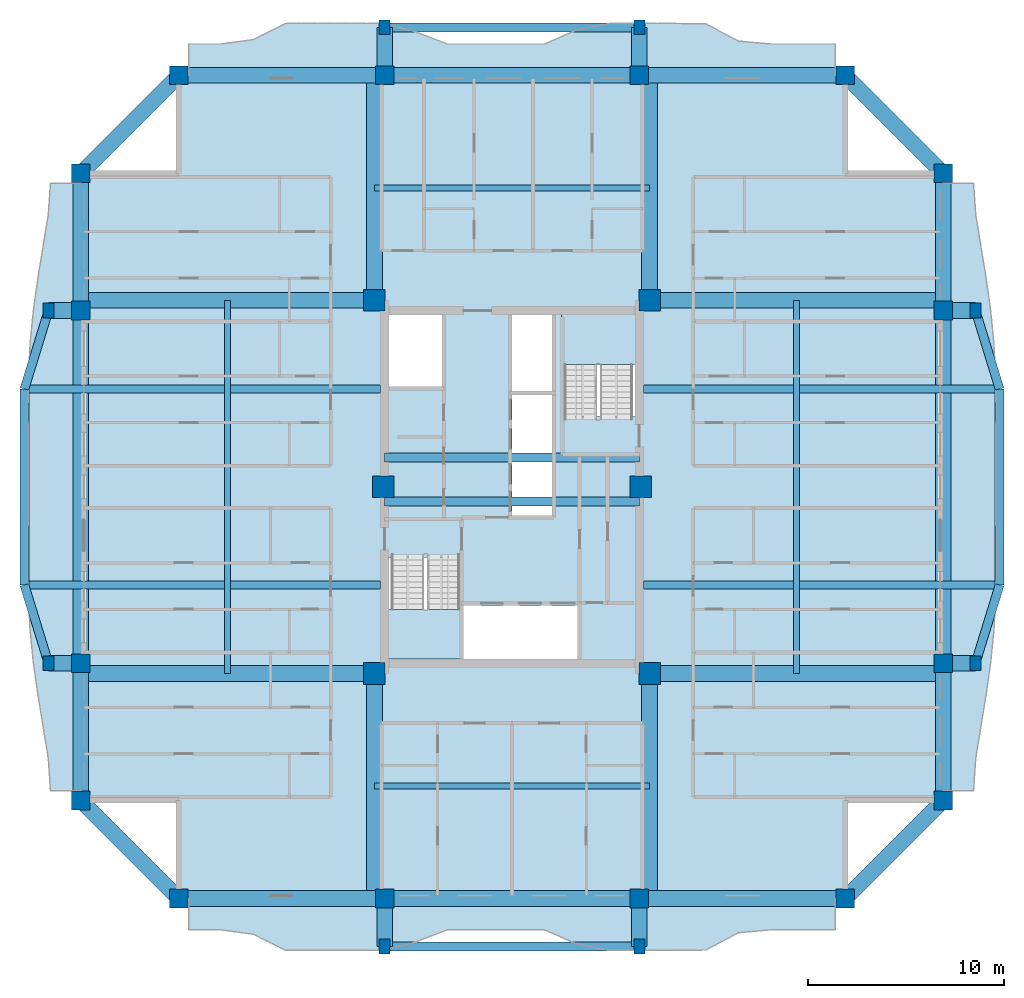
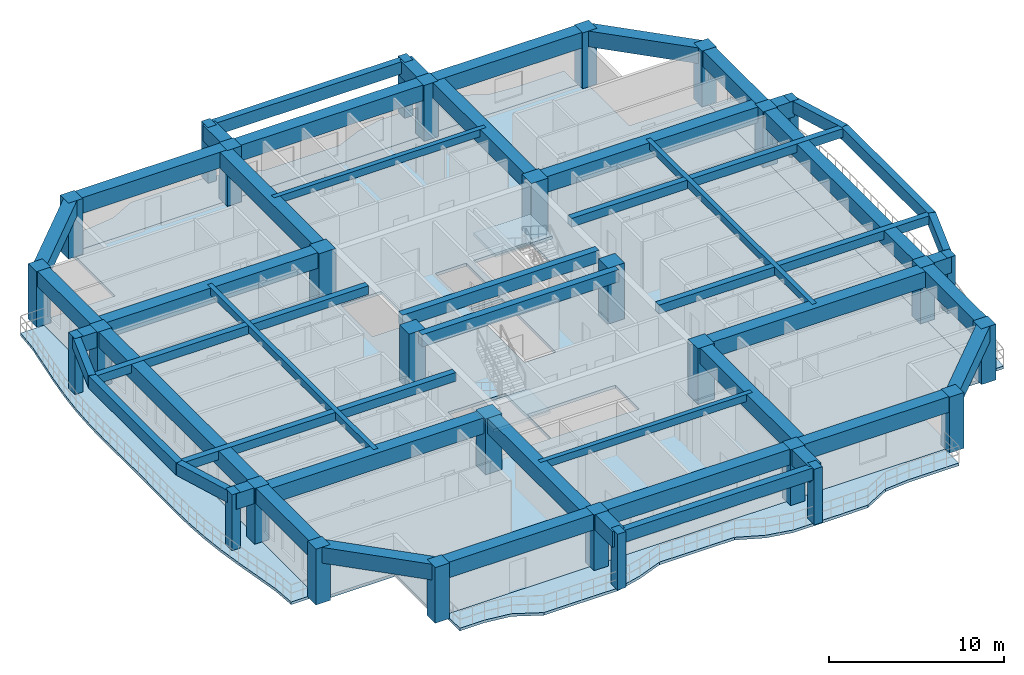
# One storey, part 1 of 15: 50 beams, 30 columns, 7 slabs, 2 elements without a shape of their own.
"""IFC4 building model written with IfcOpenShell, lengths in metres."""

from ifc_helpers import new_model, si_unit, direction, frame, origin, origin_2d, place, context, subcontext, project, spatial, polyline, rectangle, outline, extrude, source, transform, mapped, material, layer, layer_set, material_profile, profile_set, type_object, element, aggregate, save


model = new_model("IFC4")

# Units and contexts
model_context = context("Model", 3, precision=1e-05, world=origin(), true_north=direction((0.0, 1.0)))
body_context = subcontext(model_context, "Body", "Model", "MODEL_VIEW")
ifc_project = project(units=[si_unit("LENGTHUNIT", "METRE"), si_unit("AREAUNIT", "SQUARE_METRE"), si_unit("VOLUMEUNIT", "CUBIC_METRE"), si_unit("PLANEANGLEUNIT", "RADIAN"), si_unit("MASSUNIT", "GRAM", prefix="KILO")], contexts=[model_context])

# Site, building, storey
site_placement = place(None, origin())
site = spatial("IfcSite", under=ifc_project, at=site_placement, CompositionType="ELEMENT")
building_placement = place(site_placement, origin())
building = spatial("IfcBuilding", under=site, at=building_placement, Name="Saelheon Loggia Tower", CompositionType="ELEMENT")
storey_placement = place(building_placement, frame((0.0, 0.0, 159.10009765625)))
storey = spatial("IfcBuildingStorey", under=building, at=storey_placement, Name="L50", CompositionType="ELEMENT", Elevation=159.10009765625)

# Columns
ifc_material_1 = material(Name="Concrete C50/60", Category="concrete")
ifc_material_profile_1 = material_profile(ifc_material_1, rectangle(XDim=0.949951171875, YDim=0.949951171875, at=origin_2d()), Name="RC-950x950")
ifc_profile_set_1 = profile_set([ifc_material_profile_1], Name="Concrete C50/60")
column_type_1 = type_object("IfcColumnType", Name="Col_Perim_RC950", PredefinedType="COLUMN", material=ifc_profile_set_1)
shared_shape_1 = source(origin(), body_context, "Body", "SweptSolid", [
    extrude(rectangle(XDim=0.949951171875, YDim=0.949951171875, at=origin_2d()), origin(), (0.0, 0.0, 1.0), 3.89990234375),
])
for number, where, z_axis, x_axis, name in (
    (1, (21.0, 6.0, 0.0), (0.0, 0.0, 1.0), (1.0, 0.0, 0.0), "L50 Perimeter Column TP-S1"),
    (2, (31.5, 6.0, 0.0), (0.0, 0.0, 1.0), (1.0, 0.0, 0.0), "L50 Perimeter Column TP-SA"),
    (3, (44.5, 6.0, 0.0), (0.0, 0.0, 1.0), (1.0, 0.0, 0.0), "L50 Perimeter Column TP-SB"),
    (4, (55.0, 6.0, 0.0), (0.0, 0.0, 1.0), (1.0, 0.0, 0.0), "L50 Perimeter Column TP-S2"),
    (5, (60.0, 11.0, 0.0), (0.0, 0.0, 1.0), (1.0, 0.0, 0.0), "L50 Perimeter Column TP-E1"),
    (6, (60.0, 18.0, 0.0), (0.0, 0.0, 1.0), (1.0, 0.0, 0.0), "L50 Perimeter Column TP-EA"),
    (7, (60.0, 36.0, 0.0), (0.0, 0.0, 1.0), (1.0, 0.0, 0.0), "L50 Perimeter Column TP-EB"),
    (8, (60.0, 43.0, 0.0), (0.0, 0.0, 1.0), (1.0, 0.0, 0.0), "L50 Perimeter Column TP-E2"),
    (9, (55.0, 48.0, 0.0), (0.0, 0.0, 1.0), (1.0, 0.0, 0.0), "L50 Perimeter Column TP-N2"),
    (10, (44.5, 48.0, 0.0), (0.0, 0.0, 1.0), (1.0, 0.0, 0.0), "L50 Perimeter Column TP-NB"),
    (11, (31.5, 48.0, 0.0), (0.0, 0.0, 1.0), (1.0, 0.0, 0.0), "L50 Perimeter Column TP-NA"),
    (12, (21.0, 48.0, 0.0), (0.0, 0.0, 1.0), (1.0, 0.0, 0.0), "L50 Perimeter Column TP-N1"),
    (13, (16.0, 43.0, 0.0), (0.0, 0.0, 1.0), (1.0, 0.0, 0.0), "L50 Perimeter Column TP-W2"),
    (14, (16.0, 36.0, 0.0), (0.0, 0.0, 1.0), (1.0, 0.0, 0.0), "L50 Perimeter Column TP-WB"),
    (15, (16.0, 18.0, 0.0), (0.0, 0.0, 1.0), (1.0, 0.0, 0.0), "L50 Perimeter Column TP-WA"),
    (16, (16.0, 11.0, 0.0), (0.0, 0.0, 1.0), (1.0, 0.0, 0.0), "L50 Perimeter Column TP-W1"),
):
    element("IfcColumn", number, at=place(storey_placement, frame(where, z_axis=z_axis, x_axis=x_axis)), inside=storey, type_object=column_type_1, Name=name, PredefinedType="COLUMN", context=body_context, shape_type="MappedRepresentation", body=[
        mapped(shared_shape_1, transform((0.0, 0.0, 0.0), scale=1.0)),
    ])
ifc_material_2 = material(Name="Precast Concrete C45/55", Category="concrete")
ifc_material_profile_2 = material_profile(ifc_material_2, rectangle(XDim=0.550048828125, YDim=0.75, at=origin_2d()), Name="RC-550x750")
ifc_profile_set_2 = profile_set([ifc_material_profile_2], Name="Precast Concrete C45/55")
column_type_2 = type_object("IfcColumnType", Name="Col_Loggia_Pilaster_750", PredefinedType="PILASTER", material=ifc_profile_set_2)
shared_shape_2 = source(origin(), body_context, "Body", "SweptSolid", [
    extrude(rectangle(XDim=0.550048828125, YDim=0.75, at=origin_2d()), origin(), (0.0, 0.0, 1.0), 3.89990234375),
])
for number, where, z_axis, x_axis, name in (
    (17, (31.5, 3.550048828125, 0.0), (0.0, 0.0, 1.0), (1.0, 0.0, 0.0), "L50 Loggia Frame Pilaster LP-S1"),
    (18, (44.5, 3.550048828125, 0.0), (0.0, 0.0, 1.0), (1.0, 0.0, 0.0), "L50 Loggia Frame Pilaster LP-S2"),
    (19, (31.5, 50.449951171875, 0.0), (0.0, 0.0, 1.0), (1.0, 0.0, 0.0), "L50 Loggia Frame Pilaster LP-N1"),
    (20, (44.5, 50.449951171875, 0.0), (0.0, 0.0, 1.0), (1.0, 0.0, 0.0), "L50 Loggia Frame Pilaster LP-N2"),
    (21, (61.64990234375, 18.0, 0.0), (0.0, 0.0, 1.0), (1.0, 0.0, 0.0), "L50 Loggia Frame Pilaster LP-E1"),
    (22, (61.64990234375, 36.0, 0.0), (0.0, 0.0, 1.0), (1.0, 0.0, 0.0), "L50 Loggia Frame Pilaster LP-E2"),
    (23, (14.35009765625, 18.0, 0.0), (0.0, 0.0, 1.0), (1.0, 0.0, 0.0), "L50 Loggia Frame Pilaster LP-W1"),
    (24, (14.35009765625, 36.0, 0.0), (0.0, 0.0, 1.0), (1.0, 0.0, 0.0), "L50 Loggia Frame Pilaster LP-W2"),
):
    element("IfcColumn", number, at=place(storey_placement, frame(where, z_axis=z_axis, x_axis=x_axis)), inside=storey, type_object=column_type_2, Name=name, PredefinedType="PILASTER", context=body_context, shape_type="MappedRepresentation", body=[
        mapped(shared_shape_2, transform((0.0, 0.0, 0.0), scale=1.0)),
    ])
ifc_material_profile_3 = material_profile(ifc_material_1, rectangle(XDim=1.10009765625, YDim=1.10009765625, at=origin_2d()), Name="RC-1100x1100")
ifc_profile_set_3 = profile_set([ifc_material_profile_3], Name="Concrete C50/60")
column_type_3 = type_object("IfcColumnType", Name="Col_Core_RC1100", PredefinedType="COLUMN", material=ifc_profile_set_3)
shared_shape_3 = source(origin(), body_context, "Body", "SweptSolid", [
    extrude(rectangle(XDim=1.10009765625, YDim=1.10009765625, at=origin_2d()), origin(), (0.0, 0.0, 1.0), 3.89990234375),
])
for number, where, z_axis, x_axis, name in (
    (25, (30.97998046875, 17.47998046875, 0.0), (0.0, 0.0, 1.0), (1.0, 0.0, 0.0), "L50 Core Column CR-SW"),
    (26, (45.02001953125, 17.47998046875, 0.0), (0.0, 0.0, 1.0), (1.0, 0.0, 0.0), "L50 Core Column CR-SE"),
    (27, (30.97998046875, 36.52001953125, 0.0), (0.0, 0.0, 1.0), (1.0, 0.0, 0.0), "L50 Core Column CR-NW"),
    (28, (45.02001953125, 36.52001953125, 0.0), (0.0, 0.0, 1.0), (1.0, 0.0, 0.0), "L50 Core Column CR-NE"),
    (29, (31.419921875, 27.0, 0.0), (0.0, 0.0, 1.0), (1.0, 0.0, 0.0), "L50 Core Column CR-MW"),
    (30, (44.580078125, 27.0, 0.0), (0.0, 0.0, 1.0), (1.0, 0.0, 0.0), "L50 Core Column CR-ME"),
):
    element("IfcColumn", number, at=place(storey_placement, frame(where, z_axis=z_axis, x_axis=x_axis)), inside=storey, type_object=column_type_3, Name=name, PredefinedType="COLUMN", context=body_context, shape_type="MappedRepresentation", body=[
        mapped(shared_shape_3, transform((0.0, 0.0, 0.0), scale=1.0)),
    ])

# Beams
ifc_material_profile_4 = material_profile(ifc_material_1, rectangle(XDim=0.449951171875, YDim=0.85009765625, at=origin_2d()), Name="RC-450x850")
ifc_profile_set_4 = profile_set([ifc_material_profile_4], Name="Concrete C50/60")
beam_type_1 = type_object("IfcBeamType", Name="Beam_CoreLintel_RC450x850", PredefinedType="LINTEL", material=ifc_profile_set_4)
shared_shape_4 = source(origin(), body_context, "Body", "SweptSolid", [
    extrude(rectangle(XDim=0.449951171875, YDim=0.85009765625, at=origin_2d()), origin(), (0.0, 0.0, 1.0), 13.0),
])
for number, where, z_axis, x_axis, name in (
    (31, (31.5, 26.25, 3.474853515625), (1.0, 0.0, 0.0), (0.0, 1.0, 0.0), "L50 Core Coupling Lintel 1"),
    (32, (31.5, 28.5, 3.474853515625), (1.0, 0.0, 0.0), (0.0, 1.0, 0.0), "L50 Core Coupling Lintel 2"),
):
    element("IfcBeam", number, at=place(storey_placement, frame(where, z_axis=z_axis, x_axis=x_axis)), inside=storey, type_object=beam_type_1, Name=name, PredefinedType="LINTEL", context=body_context, shape_type="MappedRepresentation", body=[
        mapped(shared_shape_4, transform((0.0, 0.0, 0.0), scale=1.0)),
    ])
ifc_material_profile_5 = material_profile(ifc_material_2, rectangle(XDim=0.449951171875, YDim=0.85009765625, at=origin_2d()), Name="RC-450x850")
ifc_profile_set_5 = profile_set([ifc_material_profile_5], Name="Precast Concrete C45/55")
beam_type_2 = type_object("IfcBeamType", Name="Beam_LoggiaSpandrel_RC450x850", PredefinedType="SPANDREL", material=ifc_profile_set_5)
for number, where, z_axis, x_axis, name in (
    (33, (31.5, 3.550048828125, 3.474853515625), (1.0, 0.0, 0.0), (0.0, 1.0, 0.0), "L50 Loggia Spandrel Beam S"),
    (34, (31.5, 50.449951171875, 3.474853515625), (1.0, 0.0, 0.0), (0.0, 1.0, 0.0), "L50 Loggia Spandrel Beam N"),
):
    element("IfcBeam", number, at=place(storey_placement, frame(where, z_axis=z_axis, x_axis=x_axis)), inside=storey, type_object=beam_type_2, Name=name, PredefinedType="SPANDREL", context=body_context, shape_type="MappedRepresentation", body=[
        mapped(shared_shape_4, transform((0.0, 0.0, 0.0), scale=1.0)),
    ])
ifc_material_3 = material(Name="Concrete C40/50", Category="concrete")
ifc_material_profile_6 = material_profile(ifc_material_3, rectangle(XDim=0.300048828125, YDim=0.5, at=origin_2d()), Name="RC-300x500")
ifc_profile_set_6 = profile_set([ifc_material_profile_6], Name="Concrete C40/50")
beam_type_3 = type_object("IfcBeamType", Name="Beam_Joist_RC300x500", PredefinedType="JOIST", material=ifc_profile_set_6)
shared_shape_5 = source(origin(), body_context, "Body", "SweptSolid", [
    extrude(rectangle(XDim=0.300048828125, YDim=0.5, at=origin_2d()), origin(), (0.0, 0.0, 1.0), 14.0400390625),
])
for number, where, z_axis, x_axis, name in (
    (35, (30.97998046875, 11.739990234375, 3.64990234375), (1.0, 0.0, 0.0), (0.0, 1.0, 0.0), "L50 South Floor Joist"),
    (36, (30.97998046875, 42.260009765625, 3.64990234375), (1.0, 0.0, 0.0), (0.0, 1.0, 0.0), "L50 North Floor Joist"),
):
    element("IfcBeam", number, at=place(storey_placement, frame(where, z_axis=z_axis, x_axis=x_axis)), inside=storey, type_object=beam_type_3, Name=name, PredefinedType="JOIST", context=body_context, shape_type="MappedRepresentation", body=[
        mapped(shared_shape_5, transform((0.0, 0.0, 0.0), scale=1.0)),
    ])
shared_shape_6 = source(origin(), body_context, "Body", "SweptSolid", [
    extrude(rectangle(XDim=0.300048828125, YDim=0.5, at=origin_2d()), origin(), (0.0, 0.0, 1.0), 19.0400390625),
])
for number, where, z_axis, x_axis, name in (
    (37, (23.489990234375, 17.47998046875, 3.64990234375), (0.0, 1.0, 0.0), (-1.0, 0.0, 0.0), "L50 West Floor Joist"),
    (38, (52.510009765625, 17.47998046875, 3.64990234375), (0.0, 1.0, 0.0), (-1.0, 0.0, 0.0), "L50 East Floor Joist"),
):
    element("IfcBeam", number, at=place(storey_placement, frame(where, z_axis=z_axis, x_axis=x_axis)), inside=storey, type_object=beam_type_3, Name=name, PredefinedType="JOIST", context=body_context, shape_type="MappedRepresentation", body=[
        mapped(shared_shape_6, transform((0.0, 0.0, 0.0), scale=1.0)),
    ])
ifc_material_profile_7 = material_profile(ifc_material_1, rectangle(XDim=0.800048828125, YDim=1.10009765625, at=origin_2d()), Name="RC-800x1100")
ifc_profile_set_7 = profile_set([ifc_material_profile_7], Name="Concrete C50/60")
beam_type_4 = type_object("IfcBeamType", Name="Beam_PerimSetback_RC800x1100", PredefinedType="BEAM", material=ifc_profile_set_7)
shared_shape_7 = source(origin(), body_context, "Body", "SweptSolid", [
    extrude(rectangle(XDim=0.800048828125, YDim=1.10009765625, at=origin_2d()), origin(), (0.0, 0.0, 1.0), 10.5),
])
for number, where, z_axis, x_axis, name in (
    (39, (21.0, 6.0, 3.349853515625), (1.0, 0.0, 0.0), (0.0, 1.0, 0.0), "L50 Perimeter Frame Girder 01"),
    (40, (44.5, 6.0, 3.349853515625), (1.0, 0.0, 0.0), (0.0, 1.0, 0.0), "L50 Perimeter Frame Girder 03"),
    (41, (55.0, 48.0, 3.349853515625), (-1.0, 0.0, 0.0), (0.0, -1.0, 0.0), "L50 Perimeter Frame Girder 09"),
    (42, (31.5, 48.0, 3.349853515625), (-1.0, 0.0, 0.0), (0.0, -1.0, 0.0), "L50 Perimeter Frame Girder 11"),
):
    element("IfcBeam", number, at=place(storey_placement, frame(where, z_axis=z_axis, x_axis=x_axis)), inside=storey, type_object=beam_type_4, Name=name, PredefinedType="BEAM", context=body_context, shape_type="MappedRepresentation", body=[
        mapped(shared_shape_7, transform((0.0, 0.0, 0.0), scale=1.0)),
    ])
shared_shape_8 = source(origin(), body_context, "Body", "SweptSolid", [
    extrude(rectangle(XDim=0.800048828125, YDim=1.10009765625, at=origin_2d()), origin(), (0.0, 0.0, 1.0), 13.0),
])
for number, where, z_axis, x_axis, name in (
    (43, (31.5, 6.0, 3.349853515625), (1.0, 0.0, 0.0), (0.0, 1.0, 0.0), "L50 Perimeter Frame Girder 02"),
    (44, (44.5, 48.0, 3.349853515625), (-1.0, 0.0, 0.0), (0.0, -1.0, 0.0), "L50 Perimeter Frame Girder 10"),
):
    element("IfcBeam", number, at=place(storey_placement, frame(where, z_axis=z_axis, x_axis=x_axis)), inside=storey, type_object=beam_type_4, Name=name, PredefinedType="BEAM", context=body_context, shape_type="MappedRepresentation", body=[
        mapped(shared_shape_8, transform((0.0, 0.0, 0.0), scale=1.0)),
    ])
shared_shape_9 = source(origin(), body_context, "Body", "SweptSolid", [
    extrude(rectangle(XDim=0.800048828125, YDim=1.10009765625, at=origin_2d()), origin(), (0.0, 0.0, 1.0), 7.071044921875),
])
for number, where, z_axis, x_axis, name in (
    (45, (55.0, 6.0, 3.349853515625), (0.707106781187, 0.707106781187, 0.0), (-0.707106781187, 0.707106781187, 0.0), "L50 Perimeter Frame Girder 04"),
    (46, (60.0, 43.0, 3.349853515625), (-0.707106781187, 0.707106781187, 0.0), (-0.707106781187, -0.707106781187, 0.0), "L50 Perimeter Frame Girder 08"),
    (47, (21.0, 48.0, 3.349853515625), (-0.707106781187, -0.707106781187, 0.0), (0.707106781187, -0.707106781187, 0.0), "L50 Perimeter Frame Girder 12"),
    (48, (16.0, 11.0, 3.349853515625), (0.707106781187, -0.707106781187, 0.0), (0.707106781187, 0.707106781187, 0.0), "L50 Perimeter Frame Girder 16"),
):
    element("IfcBeam", number, at=place(storey_placement, frame(where, z_axis=z_axis, x_axis=x_axis)), inside=storey, type_object=beam_type_4, Name=name, PredefinedType="BEAM", context=body_context, shape_type="MappedRepresentation", body=[
        mapped(shared_shape_9, transform((0.0, 0.0, 0.0), scale=1.0)),
    ])
shared_shape_10 = source(origin(), body_context, "Body", "SweptSolid", [
    extrude(rectangle(XDim=0.800048828125, YDim=1.10009765625, at=origin_2d()), origin(), (0.0, 0.0, 1.0), 7.0),
])
for number, where, z_axis, x_axis, name in (
    (49, (60.0, 11.0, 3.349853515625), (0.0, 1.0, 0.0), (-1.0, 0.0, 0.0), "L50 Perimeter Frame Girder 05"),
    (50, (60.0, 36.0, 3.349853515625), (0.0, 1.0, 0.0), (-1.0, 0.0, 0.0), "L50 Perimeter Frame Girder 07"),
    (51, (16.0, 43.0, 3.349853515625), (0.0, -1.0, 0.0), (1.0, 0.0, 0.0), "L50 Perimeter Frame Girder 13"),
    (52, (16.0, 18.0, 3.349853515625), (0.0, -1.0, 0.0), (1.0, 0.0, 0.0), "L50 Perimeter Frame Girder 15"),
):
    element("IfcBeam", number, at=place(storey_placement, frame(where, z_axis=z_axis, x_axis=x_axis)), inside=storey, type_object=beam_type_4, Name=name, PredefinedType="BEAM", context=body_context, shape_type="MappedRepresentation", body=[
        mapped(shared_shape_10, transform((0.0, 0.0, 0.0), scale=1.0)),
    ])
shared_shape_11 = source(origin(), body_context, "Body", "SweptSolid", [
    extrude(rectangle(XDim=0.800048828125, YDim=1.10009765625, at=origin_2d()), origin(), (0.0, 0.0, 1.0), 18.0),
])
for number, where, z_axis, x_axis, name in (
    (53, (60.0, 18.0, 3.349853515625), (0.0, 1.0, 0.0), (-1.0, 0.0, 0.0), "L50 Perimeter Frame Girder 06"),
    (54, (16.0, 36.0, 3.349853515625), (0.0, -1.0, 0.0), (1.0, 0.0, 0.0), "L50 Perimeter Frame Girder 14"),
):
    element("IfcBeam", number, at=place(storey_placement, frame(where, z_axis=z_axis, x_axis=x_axis)), inside=storey, type_object=beam_type_4, Name=name, PredefinedType="BEAM", context=body_context, shape_type="MappedRepresentation", body=[
        mapped(shared_shape_11, transform((0.0, 0.0, 0.0), scale=1.0)),
    ])
ifc_material_profile_8 = material_profile(ifc_material_1, rectangle(XDim=0.800048828125, YDim=1.10009765625, at=origin_2d()), Name="RC-800x1100")
ifc_profile_set_8 = profile_set([ifc_material_profile_8], Name="Concrete C50/60")
beam_type_5 = type_object("IfcBeamType", Name="Beam_SetbackTransfer_RC800x1100", PredefinedType="BEAM", material=ifc_profile_set_8)
shared_shape_12 = source(origin(), body_context, "Body", "SweptSolid", [
    extrude(rectangle(XDim=0.800048828125, YDim=1.10009765625, at=origin_2d()), origin(), (0.0, 0.0, 1.0), 11.47998046875),
])
for number, where, z_axis, x_axis, name in (
    (55, (30.97998046875, 17.47998046875, 3.349853515625), (0.0, -1.0, 0.0), (1.0, 0.0, 0.0), "L50 Radial Floor Girder RAD-SW-S"),
    (56, (45.02001953125, 17.47998046875, 3.349853515625), (0.0, -1.0, 0.0), (1.0, 0.0, 0.0), "L50 Radial Floor Girder RAD-SE-S"),
    (57, (30.97998046875, 36.52001953125, 3.349853515625), (0.0, 1.0, 0.0), (-1.0, 0.0, 0.0), "L50 Radial Floor Girder RAD-NW-N"),
    (58, (45.02001953125, 36.52001953125, 3.349853515625), (0.0, 1.0, 0.0), (-1.0, 0.0, 0.0), "L50 Radial Floor Girder RAD-NE-N"),
):
    element("IfcBeam", number, at=place(storey_placement, frame(where, z_axis=z_axis, x_axis=x_axis)), inside=storey, type_object=beam_type_5, Name=name, PredefinedType="BEAM", context=body_context, shape_type="MappedRepresentation", body=[
        mapped(shared_shape_12, transform((0.0, 0.0, 0.0), scale=1.0)),
    ])
shared_shape_13 = source(origin(), body_context, "Body", "SweptSolid", [
    extrude(rectangle(XDim=0.800048828125, YDim=1.10009765625, at=origin_2d()), origin(), (0.0, 0.0, 1.0), 14.97998046875),
])
for number, where, z_axis, x_axis, name in (
    (59, (30.97998046875, 17.47998046875, 3.349853515625), (-1.0, 0.0, 0.0), (0.0, -1.0, 0.0), "L50 Radial Floor Girder RAD-SW-W"),
    (60, (30.97998046875, 36.52001953125, 3.349853515625), (-1.0, 0.0, 0.0), (0.0, -1.0, 0.0), "L50 Radial Floor Girder RAD-NW-W"),
    (61, (45.02001953125, 17.47998046875, 3.349853515625), (1.0, 0.0, 0.0), (0.0, 1.0, 0.0), "L50 Radial Floor Girder RAD-SE-E"),
    (62, (45.02001953125, 36.52001953125, 3.349853515625), (1.0, 0.0, 0.0), (0.0, 1.0, 0.0), "L50 Radial Floor Girder RAD-NE-E"),
):
    element("IfcBeam", number, at=place(storey_placement, frame(where, z_axis=z_axis, x_axis=x_axis)), inside=storey, type_object=beam_type_5, Name=name, PredefinedType="BEAM", context=body_context, shape_type="MappedRepresentation", body=[
        mapped(shared_shape_13, transform((0.0, 0.0, 0.0), scale=1.0)),
    ])
ifc_material_profile_9 = material_profile(ifc_material_2, rectangle(XDim=0.39990234375, YDim=0.60009765625, at=origin_2d()), Name="RC-400x600")
ifc_profile_set_9 = profile_set([ifc_material_profile_9], Name="Precast Concrete C45/55")
beam_type_6 = type_object("IfcBeamType", Name="Beam_LoggiaTie_RC400x600", PredefinedType="BEAM", material=ifc_profile_set_9)
shared_shape_14 = source(origin(), body_context, "Body", "SweptSolid", [
    extrude(rectangle(XDim=0.39990234375, YDim=0.60009765625, at=origin_2d()), origin(), (0.0, 0.0, 1.0), 18.159912109375),
])
for number, where, z_axis, x_axis, name in (
    (63, (44.719970703125, 22.0, 3.599853515625), (1.0, 0.0, 0.0), (0.0, 1.0, 0.0), "L50 Curved Facade Outrigger Beam E 1"),
    (64, (44.719970703125, 32.0, 3.599853515625), (1.0, 0.0, 0.0), (0.0, 1.0, 0.0), "L50 Curved Facade Outrigger Beam E 2"),
    (65, (31.280029296875, 22.0, 3.599853515625), (-1.0, 0.0, 0.0), (0.0, -1.0, 0.0), "L50 Curved Facade Outrigger Beam W 1"),
    (66, (31.280029296875, 32.0, 3.599853515625), (-1.0, 0.0, 0.0), (0.0, -1.0, 0.0), "L50 Curved Facade Outrigger Beam W 2"),
):
    element("IfcBeam", number, at=place(storey_placement, frame(where, z_axis=z_axis, x_axis=x_axis)), inside=storey, type_object=beam_type_6, Name=name, PredefinedType="BEAM", context=body_context, shape_type="MappedRepresentation", body=[
        mapped(shared_shape_14, transform((0.0, 0.0, 0.0), scale=1.0)),
    ])
shared_shape_15 = source(origin(), body_context, "Body", "SweptSolid", [
    extrude(rectangle(XDim=0.449951171875, YDim=0.85009765625, at=origin_2d()), origin(), (0.0, 0.0, 1.0), 4.184814453125),
])
for number, where, z_axis, x_axis, name in (
    (67, (61.64990234375, 18.0, 3.474853515625), (0.293913664135, 0.955831971653, 0.0), (-0.955831971653, 0.293913664135, 0.0), "L50 Curved Loggia Spandrel E 1"),
    (68, (62.8798828125, 32.0, 3.474853515625), (-0.293913664135, 0.955831971653, 0.0), (-0.955831971653, -0.293913664135, 0.0), "L50 Curved Loggia Spandrel E 3"),
    (69, (14.35009765625, 18.0, 3.474853515625), (-0.293913664135, 0.955831971653, 0.0), (-0.955831971653, -0.293913664135, 0.0), "L50 Curved Loggia Spandrel W 1"),
    (70, (13.1201171875, 32.0, 3.474853515625), (0.293913664135, 0.955831971653, 0.0), (-0.955831971653, 0.293913664135, 0.0), "L50 Curved Loggia Spandrel W 3"),
):
    element("IfcBeam", number, at=place(storey_placement, frame(where, z_axis=z_axis, x_axis=x_axis)), inside=storey, type_object=beam_type_2, Name=name, PredefinedType="SPANDREL", context=body_context, shape_type="MappedRepresentation", body=[
        mapped(shared_shape_15, transform((0.0, 0.0, 0.0), scale=1.0)),
    ])
shared_shape_16 = source(origin(), body_context, "Body", "SweptSolid", [
    extrude(rectangle(XDim=0.449951171875, YDim=0.85009765625, at=origin_2d()), origin(), (0.0, 0.0, 1.0), 10.0),
])
for number, where, z_axis, x_axis, name in (
    (71, (62.8798828125, 22.0, 3.474853515625), (0.0, 1.0, 0.0), (-1.0, 0.0, 0.0), "L50 Curved Loggia Spandrel E 2"),
    (72, (13.1201171875, 22.0, 3.474853515625), (0.0, 1.0, 0.0), (-1.0, 0.0, 0.0), "L50 Curved Loggia Spandrel W 2"),
):
    element("IfcBeam", number, at=place(storey_placement, frame(where, z_axis=z_axis, x_axis=x_axis)), inside=storey, type_object=beam_type_2, Name=name, PredefinedType="SPANDREL", context=body_context, shape_type="MappedRepresentation", body=[
        mapped(shared_shape_16, transform((0.0, 0.0, 0.0), scale=1.0)),
    ])
shared_shape_17 = source(origin(), body_context, "Body", "SweptSolid", [
    extrude(rectangle(XDim=0.800048828125, YDim=1.10009765625, at=origin_2d()), origin(), (0.0, 0.0, 1.0), 2.449951171875),
])
for number, where, z_axis, x_axis, name in (
    (73, (31.5, 6.0, 3.349853515625), (0.0, -1.0, 0.0), (1.0, 0.0, 0.0), "L50 Loggia Frame Tie Beam LP-S1"),
    (74, (44.5, 6.0, 3.349853515625), (0.0, -1.0, 0.0), (1.0, 0.0, 0.0), "L50 Loggia Frame Tie Beam LP-S2"),
    (75, (31.5, 48.0, 3.349853515625), (0.0, 1.0, 0.0), (-1.0, 0.0, 0.0), "L50 Loggia Frame Tie Beam LP-N1"),
    (76, (44.5, 48.0, 3.349853515625), (0.0, 1.0, 0.0), (-1.0, 0.0, 0.0), "L50 Loggia Frame Tie Beam LP-N2"),
):
    element("IfcBeam", number, at=place(storey_placement, frame(where, z_axis=z_axis, x_axis=x_axis)), inside=storey, type_object=beam_type_4, Name=name, PredefinedType="BEAM", context=body_context, shape_type="MappedRepresentation", body=[
        mapped(shared_shape_17, transform((0.0, 0.0, 0.0), scale=1.0)),
    ])
shared_shape_18 = source(origin(), body_context, "Body", "SweptSolid", [
    extrude(rectangle(XDim=0.800048828125, YDim=1.10009765625, at=origin_2d()), origin(), (0.0, 0.0, 1.0), 1.64990234375),
])
for number, where, z_axis, x_axis, name in (
    (77, (60.0, 18.0, 3.349853515625), (1.0, 0.0, 0.0), (0.0, 1.0, 0.0), "L50 Loggia Frame Tie Beam LP-E1"),
    (78, (60.0, 36.0, 3.349853515625), (1.0, 0.0, 0.0), (0.0, 1.0, 0.0), "L50 Loggia Frame Tie Beam LP-E2"),
    (79, (16.0, 18.0, 3.349853515625), (-1.0, 0.0, 0.0), (0.0, -1.0, 0.0), "L50 Loggia Frame Tie Beam LP-W1"),
    (80, (16.0, 36.0, 3.349853515625), (-1.0, 0.0, 0.0), (0.0, -1.0, 0.0), "L50 Loggia Frame Tie Beam LP-W2"),
):
    element("IfcBeam", number, at=place(storey_placement, frame(where, z_axis=z_axis, x_axis=x_axis)), inside=storey, type_object=beam_type_4, Name=name, PredefinedType="BEAM", context=body_context, shape_type="MappedRepresentation", body=[
        mapped(shared_shape_18, transform((0.0, 0.0, 0.0), scale=1.0)),
    ])

# Slabs
ifc_layer_1 = layer(ifc_material_2, 0.18994140625)
ifc_layer_set_1 = layer_set([ifc_layer_1], Name="Precast Concrete C45/55")
slab_type_1 = type_object("IfcSlabType", Name="Slab_Loggia_Ext_190", PredefinedType="FLOOR", material=ifc_layer_set_1)
slab_1_placement = place(storey_placement, frame((0.0, 0.0, -0.190185546875)))
element("IfcSlab", 81, at=slab_1_placement, inside=storey, type_object=slab_type_1, Name="L50 Loggia Balcony Slab S", PredefinedType="FLOOR", context=body_context, shape_type="SweptSolid", body=[
    extrude(outline(polyline([(21.5, 4.39990234375), (23.14990234375, 4.39990234375), (24.800048828125, 4.173095703125), (26.449951171875, 3.35009765625), (28.10009765625, 3.35009765625), (29.75, 3.35009765625), (31.39990234375, 3.35009765625), (33.050048828125, 3.7685546875), (34.699951171875, 4.39990234375), (36.35009765625, 4.39990234375), (38.0, 4.39990234375), (39.64990234375, 4.39990234375), (41.300048828125, 3.687255859375), (42.949951171875, 3.35009765625), (44.60009765625, 3.35009765625), (46.25, 3.35009765625), (47.89990234375, 3.371337890625), (49.550048828125, 4.251708984375), (51.199951171875, 4.39990234375), (52.85009765625, 4.39990234375), (54.5, 4.39990234375), (54.5, 6.0), (21.5, 6.0), (21.5, 4.39990234375)])), origin(), (0.0, 0.0, 1.0), 0.190185546875),
])
slab_2_placement = place(storey_placement, frame((0.0, 0.0, -0.190185546875)))
element("IfcSlab", 82, at=slab_2_placement, inside=storey, type_object=slab_type_1, Name="L50 Loggia Balcony Slab N", PredefinedType="FLOOR", context=body_context, shape_type="SweptSolid", body=[
    extrude(outline(polyline([(21.5, 48.0), (54.5, 48.0), (54.5, 49.60009765625), (52.85009765625, 49.60009765625), (51.199951171875, 49.60009765625), (49.550048828125, 49.748291015625), (47.89990234375, 50.628662109375), (46.25, 50.64990234375), (44.60009765625, 50.64990234375), (42.949951171875, 50.64990234375), (41.300048828125, 50.312744140625), (39.64990234375, 49.60009765625), (38.0, 49.60009765625), (36.35009765625, 49.60009765625), (34.699951171875, 49.60009765625), (33.050048828125, 50.2314453125), (31.39990234375, 50.64990234375), (29.75, 50.64990234375), (28.10009765625, 50.64990234375), (26.449951171875, 50.64990234375), (24.800048828125, 49.826904296875), (23.14990234375, 49.60009765625), (21.5, 49.60009765625), (21.5, 48.0)])), origin(), (0.0, 0.0, 1.0), 0.190185546875),
])
slab_3_placement = place(storey_placement, frame((0.0, 0.0, -0.190185546875)))
element("IfcSlab", 83, at=slab_3_placement, inside=storey, type_object=slab_type_1, Name="L50 Loggia Balcony Slab E", PredefinedType="FLOOR", context=body_context, shape_type="SweptSolid", body=[
    extrude(outline(polyline([(60.0, 11.5), (61.550048828125, 11.5), (61.66064453125, 13.131591796875), (61.92529296875, 14.76318359375), (62.191650390625, 16.394775390625), (62.42236328125, 18.0263671875), (62.58837890625, 19.657958984375), (62.679931640625, 21.28955078125), (62.708251953125, 22.921142578125), (62.69970703125, 24.552490234375), (62.683837890625, 26.18408203125), (62.6806640625, 27.81591796875), (62.69140625, 29.447509765625), (62.698486328125, 31.078857421875), (62.672607421875, 32.71044921875), (62.586669921875, 34.342041015625), (62.4267578125, 35.9736328125), (62.200439453125, 37.605224609375), (61.934814453125, 39.23681640625), (61.6669921875, 40.868408203125), (61.550048828125, 42.5), (60.0, 42.5), (60.0, 11.5)])), origin(), (0.0, 0.0, 1.0), 0.190185546875),
])
slab_4_placement = place(storey_placement, frame((0.0, 0.0, -0.190185546875)))
element("IfcSlab", 84, at=slab_4_placement, inside=storey, type_object=slab_type_1, Name="L50 Loggia Balcony Slab W", PredefinedType="FLOOR", context=body_context, shape_type="SweptSolid", body=[
    extrude(outline(polyline([(16.0, 11.5), (16.0, 42.5), (14.449951171875, 42.5), (14.3330078125, 40.868408203125), (14.065185546875, 39.23681640625), (13.799560546875, 37.605224609375), (13.5732421875, 35.9736328125), (13.413330078125, 34.342041015625), (13.327392578125, 32.71044921875), (13.301513671875, 31.078857421875), (13.30859375, 29.447509765625), (13.3193359375, 27.81591796875), (13.316162109375, 26.18408203125), (13.30029296875, 24.552490234375), (13.291748046875, 22.921142578125), (13.320068359375, 21.28955078125), (13.41162109375, 19.657958984375), (13.57763671875, 18.0263671875), (13.808349609375, 16.394775390625), (14.07470703125, 14.76318359375), (14.33935546875, 13.131591796875), (14.449951171875, 11.5), (16.0, 11.5)])), origin(), (0.0, 0.0, 1.0), 0.190185546875),
])

# Stair, slab
stair_type = type_object("IfcStairType", Name="Stair_Escape_Core", PredefinedType="HALF_TURN_STAIR", material=ifc_material_3)
stair_1_placement = place(storey_placement, origin())
stair_1 = element("IfcStair", 85, at=stair_1_placement, inside=storey, type_object=stair_type, Name="L50 Special Escape Stair ST1", PredefinedType="HALF_TURN_STAIR")
ifc_layer_2 = layer(ifc_material_3, 0.199951171875)
ifc_layer_set_2 = layer_set([ifc_layer_2], Name="Concrete C40/50")
slab_type_2 = type_object("IfcSlabType", Name="Slab_StairLanding_ST1", PredefinedType="LANDING", material=ifc_layer_set_2)
slab_5_placement = place(storey_placement, frame((0.0, 0.0, 1.75)))
slab_5 = element("IfcSlab", 86, at=slab_5_placement, type_object=slab_type_2, Name="ST1 landing 1", PredefinedType="LANDING", context=body_context, shape_type="SweptSolid", body=[
    extrude(outline(polyline([(31.7099609375, 20.75), (31.7099609375, 18.2099609375), (35.469970703125, 18.2099609375), (35.469970703125, 20.75), (31.7099609375, 20.75)])), origin(), (0.0, 0.0, 1.0), 0.199951171875),
])
aggregate(stair_1, [slab_5])

stair_2_placement = place(storey_placement, origin())
stair_2 = element("IfcStair", 87, at=stair_2_placement, inside=storey, type_object=stair_type, Name="L50 Special Escape Stair ST2", PredefinedType="HALF_TURN_STAIR")
ifc_layer_3 = layer(ifc_material_3, 0.199951171875)
ifc_layer_set_3 = layer_set([ifc_layer_3], Name="Concrete C40/50")
slab_type_3 = type_object("IfcSlabType", Name="Slab_StairLanding_ST2", PredefinedType="LANDING", material=ifc_layer_set_3)
slab_6_placement = place(storey_placement, frame((0.0, 0.0, 1.75)))
slab_6 = element("IfcSlab", 88, at=slab_6_placement, type_object=slab_type_3, Name="ST2 landing 1", PredefinedType="LANDING", context=body_context, shape_type="SweptSolid", body=[
    extrude(outline(polyline([(44.2900390625, 33.25), (44.2900390625, 35.7900390625), (40.530029296875, 35.7900390625), (40.530029296875, 33.25), (44.2900390625, 33.25)])), origin(), (0.0, 0.0, 1.0), 0.199951171875),
])
aggregate(stair_2, [slab_6])

# Slab
ifc_layer_4 = layer(ifc_material_3, 0.2099609375)
ifc_layer_set_4 = layer_set([ifc_layer_4], Name="Concrete C40/50")
slab_type_4 = type_object("IfcSlabType", Name="Slab_Tower_210", PredefinedType="FLOOR", material=ifc_layer_set_4)
slab_7_placement = place(storey_placement, frame((0.0, 0.0, -0.210205078125)))
element("IfcSlab", 89, at=slab_7_placement, inside=storey, type_object=slab_type_4, Name="L50 Tower Floor Slab", PredefinedType="FLOOR", context=body_context, shape_type="SweptSolid", body=[
    extrude(outline(polyline([(21.0, 6.0), (55.0, 6.0), (55.0, 11.0), (60.0, 11.0), (60.0, 43.0), (55.0, 43.0), (55.0, 48.0), (21.0, 48.0), (21.0, 43.0), (16.0, 43.0), (16.0, 11.0), (21.0, 11.0), (21.0, 6.0)]), holes=[polyline([(31.699951171875, 23.409912109375), (31.699951171875, 18.199951171875), (35.47998046875, 18.199951171875), (35.47998046875, 23.409912109375), (31.699951171875, 23.409912109375)]), polyline([(44.300048828125, 30.590087890625), (44.300048828125, 35.800048828125), (40.52001953125, 35.800048828125), (40.52001953125, 30.590087890625), (44.300048828125, 30.590087890625)]), polyline([(35.530029296875, 18.22509765625), (41.35009765625, 18.22509765625), (41.35009765625, 20.9599609375), (35.530029296875, 20.9599609375), (35.530029296875, 18.22509765625)]), polyline([(31.72509765625, 32.1201171875), (34.419921875, 32.1201171875), (34.419921875, 35.77490234375), (31.72509765625, 35.77490234375), (31.72509765625, 32.1201171875)]), polyline([(38.0, 31.89990234375), (40.050048828125, 31.89990234375), (40.050048828125, 35.77490234375), (38.0, 35.77490234375), (38.0, 31.89990234375)]), polyline([(38.0, 25.5400390625), (40.050048828125, 25.5400390625), (40.050048828125, 31.699951171875), (38.0, 31.699951171875), (38.0, 25.5400390625)])]), origin(), (0.0, 0.0, 1.0), 0.210205078125),
])

save(model, "model.ifc")
